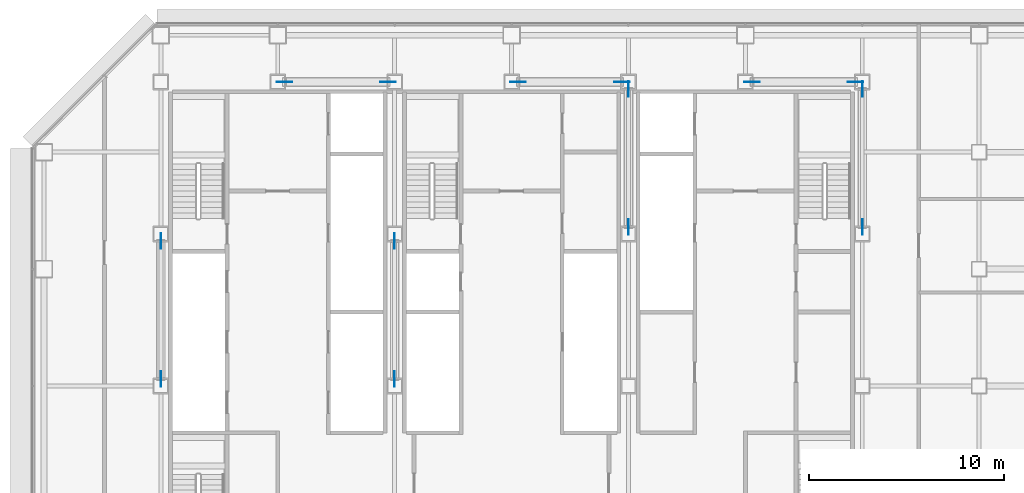
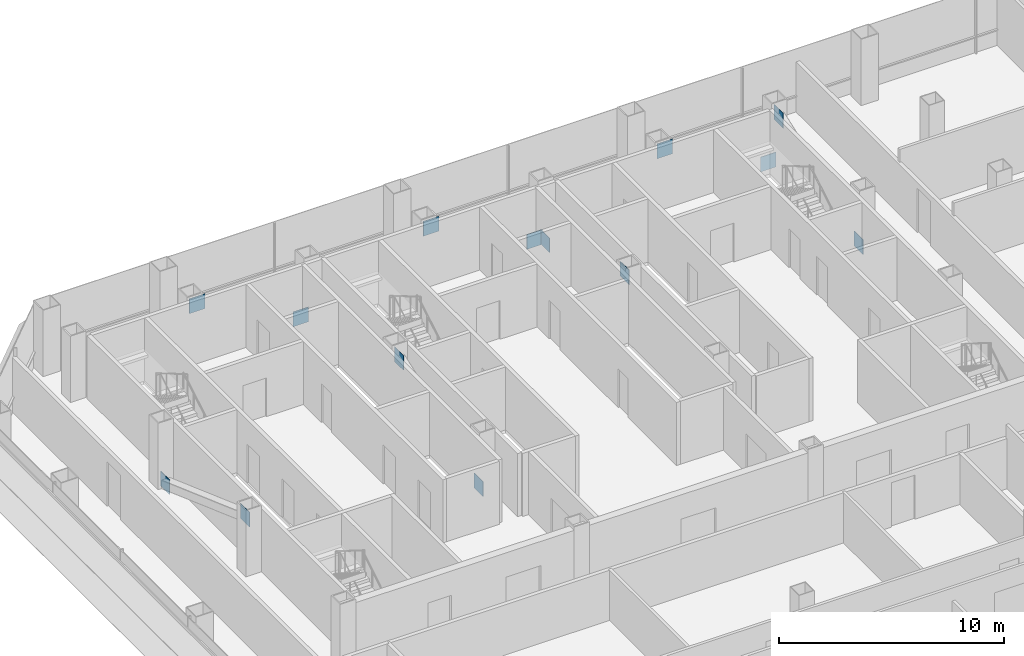
# One storey, part 25 of 27: 14 discrete accessories.
"""IFC4 building model written with IfcOpenShell, lengths in metres."""

from ifc_helpers import new_model, si_unit, direction, frame, origin, origin_2d, place, context, subcontext, project, spatial, rectangle, extrude, material, layer, layer_set, type_object, element, save


model = new_model("IFC4")

# Units and contexts
model_context = context("Model", 3, precision=1e-05, world=origin(), true_north=direction((0.0, 1.0)))
body_context = subcontext(model_context, "Body", "Model", "MODEL_VIEW")
ifc_project = project(units=[si_unit("LENGTHUNIT", "METRE"), si_unit("AREAUNIT", "SQUARE_METRE"), si_unit("VOLUMEUNIT", "CUBIC_METRE"), si_unit("PLANEANGLEUNIT", "RADIAN"), si_unit("MASSUNIT", "GRAM", prefix="KILO")], contexts=[model_context])

# Site, building, storey
site_placement = place(None, origin())
site = spatial("IfcSite", under=ifc_project, at=site_placement, CompositionType="ELEMENT")
building_placement = place(site_placement, origin())
building = spatial("IfcBuilding", under=site, at=building_placement, Name="Sorahane Residences", CompositionType="ELEMENT")
storey_placement = place(building_placement, frame((0.0, 0.0, 53.39990234375)))
storey = spatial("IfcBuildingStorey", under=building, at=storey_placement, Name="L09", CompositionType="ELEMENT", Elevation=53.39990234375)

# Discrete accessories
ifc_material = material(Name="Steel Q355B", Category="steel")
ifc_layer = layer(ifc_material, 0.02490234375)
ifc_layer_set = layer_set([ifc_layer], Name="Node plate Steel Q355B 25")
discrete_accessory_type = type_object("IfcDiscreteAccessoryType", Name="Node plate Steel Q355B 25", PredefinedType="BRACKET", material=ifc_layer_set)
for number, where, z_axis, x_axis, name in (
    (1, (6.0, 37.44580078125, -0.19140625), (0.0, 0.0, 1.0), (0.0, 1.0, 0.0), "Node plate L09 br"),
    (2, (6.0, 30.354248046875, 2.36181640625), (0.0, 0.0, 1.0), (0.0, 1.0, 0.0), "Node plate L09 br"),
    (3, (18.0, 30.354248046875, -0.19140625), (0.0, 0.0, 1.0), (0.0, 1.0, 0.0), "Node plate L09 br"),
    (4, (18.0, 37.44580078125, 2.36181640625), (0.0, 0.0, 1.0), (0.0, 1.0, 0.0), "Node plate L09 br"),
    (5, (30.0, 45.24560546875, -0.19140625), (0.0, 0.0, 1.0), (0.0, 1.0, 0.0), "Node plate L09 br"),
    (6, (30.0, 38.154296875, 2.36181640625), (0.0, 0.0, 1.0), (0.0, 1.0, 0.0), "Node plate L09 br"),
    (7, (42.0, 38.154296875, -0.19140625), (0.0, 0.0, 1.0), (0.0, 1.0, 0.0), "Node plate L09 br"),
    (8, (42.0, 45.24560546875, 2.36181640625), (0.0, 0.0, 1.0), (0.0, 1.0, 0.0), "Node plate L09 br"),
    (9, (17.658935546875, 45.60009765625, -0.20361328125), (0.0, 0.0, 1.0), (1.0, 0.0, 0.0), "Node plate L09 br"),
    (10, (29.658935546875, 45.60009765625, -0.20361328125), (0.0, 0.0, 1.0), (1.0, 0.0, 0.0), "Node plate L09 br"),
    (11, (41.658935546875, 45.60009765625, -0.20361328125), (0.0, 0.0, 1.0), (1.0, 0.0, 0.0), "Node plate L09 br"),
    (12, (12.341064453125, 45.60009765625, 2.37353515625), (0.0, 0.0, 1.0), (1.0, 0.0, 0.0), "Node plate L09 br"),
    (13, (24.341064453125, 45.60009765625, 2.37353515625), (0.0, 0.0, 1.0), (1.0, 0.0, 0.0), "Node plate L09 br"),
    (14, (36.341064453125, 45.60009765625, 2.37353515625), (0.0, 0.0, 1.0), (1.0, 0.0, 0.0), "Node plate L09 br"),
):
    element("IfcDiscreteAccessory", number, at=place(storey_placement, frame(where, z_axis=z_axis, x_axis=x_axis)), inside=storey, type_object=discrete_accessory_type, Name=name, PredefinedType="BRACKET", context=body_context, shape_type="SweptSolid", body=[
        extrude(rectangle(XDim=0.800048828125, YDim=0.02490234375, at=origin_2d()), origin(), (0.0, 0.0, 1.0), 0.800048828125),
    ])

save(model, "model.ifc")
